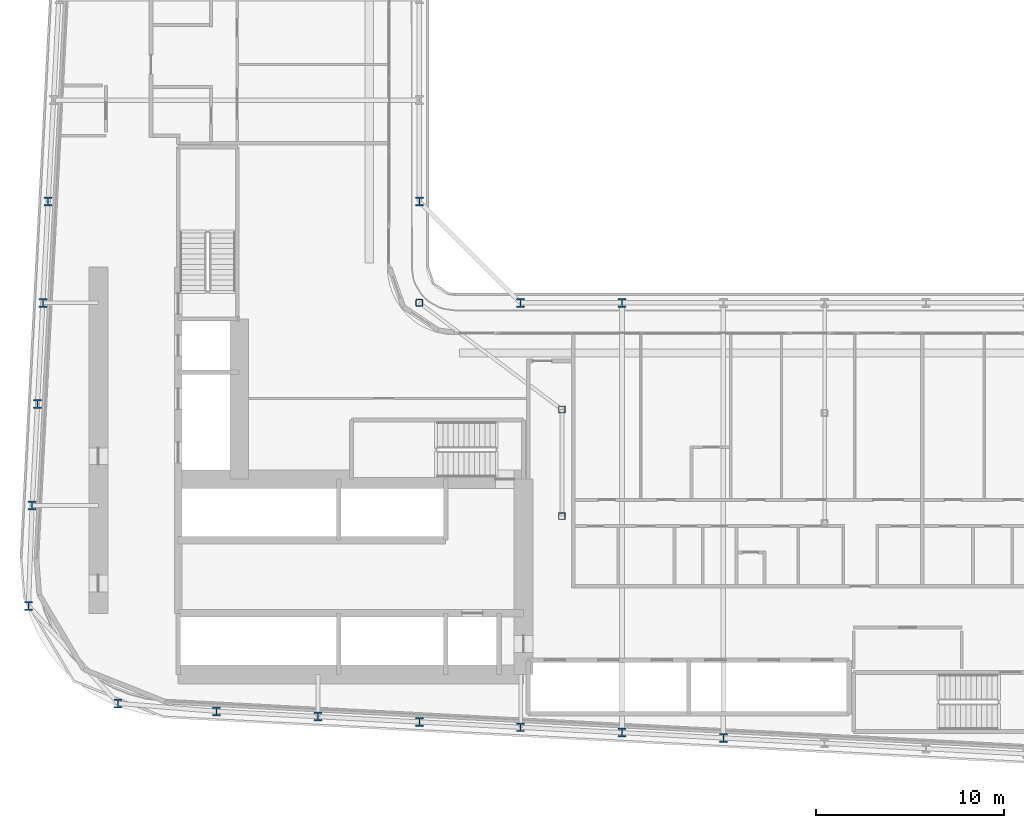
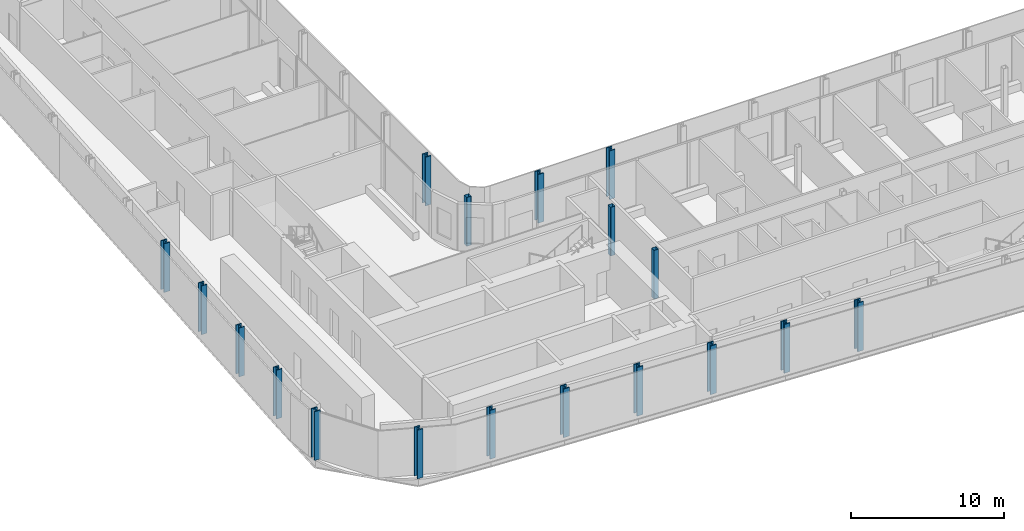
# One storey, part 1 of 29: 18 columns.
"""IFC4 building model written with IfcOpenShell, lengths in metres."""

import ifcopenshell
import ifcopenshell.guid

model = None  # the IFC model being written
_history = None  # IfcOwnerHistory: only IFC2X3 demands one
_inside = {}  # id of a spatial element -> (the spatial element, [elements in it])
_under = {}  # id of a project, library or spatial element -> (it, [spatial elements below it])
_declared = {}  # id of a project -> (the project, [libraries it declares])
_typed = {}  # id of a type object -> (the type object, [elements of that type])
_made_of = {}  # id of a material, layer set ... -> (it, [elements and type objects made of it])


def new_model(schema):
    """Start an empty IFC model of exactly this schema.

    Asked for "IFC4X3", IfcOpenShell would pick the latest addendum, in which some entities
    have other attributes; the version numbers below select the first issue.
    IFC2X3 requires an IfcOwnerHistory on every rooted entity: one is made here for all.
    """
    global model, _history
    if schema == "IFC4X3":
        model = ifcopenshell.file(schema_version=(4, 3, 0, 0))
    else:
        model = ifcopenshell.file(schema=schema)
    _inside.clear()
    _under.clear()
    _declared.clear()
    _typed.clear()
    _made_of.clear()
    _history = None
    if model.schema == "IFC2X3":
        org = make("IfcOrganization", Name="unknown")
        user = make(
            "IfcPersonAndOrganization",
            ThePerson=make("IfcPerson", FamilyName="unknown"),
            TheOrganization=org,
        )
        app = make(
            "IfcApplication",
            ApplicationDeveloper=org,
            Version="unknown",
            ApplicationFullName="unknown",
            ApplicationIdentifier="unknown",
        )
        _history = make(
            "IfcOwnerHistory",
            OwningUser=user,
            OwningApplication=app,
            ChangeAction="ADDED",
            CreationDate=0,
        )
    return model


def make(cls, **values):
    """One entity of the class cls with the attributes given. An attribute that is None is left unset."""
    return model.create_entity(
        cls, **{name: value for name, value in values.items() if value is not None}
    )


def rooted(cls, **values):
    """An entity with a GlobalId (a new one), such as an element, a storey or a relation."""
    return make(cls, GlobalId=ifcopenshell.guid.new(), OwnerHistory=_history, **values)


def si_unit(unit_type, name, prefix=None):
    """IfcSIUnit, for example si_unit("LENGTHUNIT", "METRE", prefix="MILLI")."""
    return make("IfcSIUnit", UnitType=unit_type, Prefix=prefix, Name=name)


def assignment(units):
    """IfcUnitAssignment: the units of a project."""
    return None if units is None else make("IfcUnitAssignment", Units=units)


def point(xyz):
    """IfcCartesianPoint."""
    return None if xyz is None else make("IfcCartesianPoint", Coordinates=xyz)


def direction(xyz):
    """IfcDirection."""
    return None if xyz is None else make("IfcDirection", DirectionRatios=xyz)


def frame(location, z_axis=None, x_axis=None):
    """IfcAxis2Placement3D, a coordinate frame: its origin and axes. An axis left out is left unset."""
    return make(
        "IfcAxis2Placement3D",
        Location=point(location),
        Axis=direction(z_axis),
        RefDirection=direction(x_axis),
    )


def frame_2d(location, x_axis=None):
    """IfcAxis2Placement2D, a coordinate frame in the plane: its origin and x axis."""
    return make(
        "IfcAxis2Placement2D", Location=point(location), RefDirection=direction(x_axis)
    )


def origin():
    """The frame at (0, 0, 0) with its axes left unset."""
    return frame((0.0, 0.0, 0.0))


def origin_2d():
    """The frame at (0, 0) in the plane with its x axis left unset."""
    return frame_2d((0.0, 0.0))


def place(relative_to, where):
    """IfcLocalPlacement: puts the frame where relative to a parent placement (None: the world)."""
    return make(
        "IfcLocalPlacement", PlacementRelTo=relative_to, RelativePlacement=where
    )


def context(
    kind, dimensions, precision=None, world=None, true_north=None, identifier=None
):
    """IfcGeometricRepresentationContext, for example the 3D "Model" context."""
    return make(
        "IfcGeometricRepresentationContext",
        ContextIdentifier=identifier,
        ContextType=kind,
        CoordinateSpaceDimension=dimensions,
        Precision=precision,
        WorldCoordinateSystem=world,
        TrueNorth=true_north,
    )


def subcontext(parent, identifier, kind, view, scale=None):
    """IfcGeometricRepresentationSubContext, for example "Body" below "Model"."""
    return make(
        "IfcGeometricRepresentationSubContext",
        ContextIdentifier=identifier,
        ContextType=kind,
        ParentContext=parent,
        TargetScale=scale,
        TargetView=view,
    )


def project(units=None, contexts=None):
    """IfcProject with its units and contexts."""
    return rooted(
        "IfcProject",
        Name="project",
        RepresentationContexts=contexts,
        UnitsInContext=assignment(units),
    )


def spatial(cls, under=None, at=None, **own):
    """A site, building, storey or space (cls), placed at a placement, below another one or the project."""
    s = rooted(cls, ObjectPlacement=at, **own)
    if under is not None:
        _under.setdefault(under.id(), (under, []))[1].append(s)
    return s


def profile(cls, at=None, kind="AREA", **sizes):
    """A parametric profile (cls). Its sizes go by their IFC names, for example OverallWidth=200.0."""
    return make(cls, ProfileType=kind, Position=at, **sizes)


def hollow_rectangle(**sizes):
    """IfcRectangleHollowProfileDef."""
    return profile("IfcRectangleHollowProfileDef", **sizes)


def i_section(**sizes):
    """IfcIShapeProfileDef."""
    return profile("IfcIShapeProfileDef", **sizes)


def extrude(swept, where, along, depth):
    """IfcExtrudedAreaSolid: the profile swept, set in the frame where, extruded along a direction by depth."""
    return make(
        "IfcExtrudedAreaSolid",
        SweptArea=swept,
        Position=where,
        ExtrudedDirection=direction(along),
        Depth=depth,
    )


def shape(context_of_items, identifier, shape_type, items):
    """IfcShapeRepresentation: the items that make up one representation, for example the "Body"."""
    return make(
        "IfcShapeRepresentation",
        ContextOfItems=context_of_items,
        RepresentationIdentifier=identifier,
        RepresentationType=shape_type,
        Items=items,
    )


def material(Name=None, Category=None):
    """IfcMaterial."""
    return make("IfcMaterial", Name=Name, Category=Category)


def material_profile(
    of_material, cross_section, Name=None, Category=None, Priority=None
):
    """IfcMaterialProfile: a cross section and its material."""
    return make(
        "IfcMaterialProfile",
        Name=Name,
        Material=of_material,
        Profile=cross_section,
        Priority=Priority,
        Category=Category,
    )


def profile_set(profiles, Name=None, composite=None):
    """IfcMaterialProfileSet."""
    return make(
        "IfcMaterialProfileSet",
        Name=Name,
        MaterialProfiles=profiles,
        CompositeProfile=composite,
    )


def made_of(thing, what):
    """Note that an element or type object is made of a material, layer set ...; save() writes the relation."""
    if what is not None:
        _made_of.setdefault(what.id(), (what, []))[1].append(thing)
    return thing


def type_object(cls, material=None, **own):
    """A type object (cls), such as IfcWallType, which elements share."""
    return made_of(rooted(cls, **own), material)


def element(
    cls,
    number,
    at=None,
    inside=None,
    cuts=None,
    type_object=None,
    material=None,
    context=None,
    identifier="Body",
    shape_type=None,
    held_by="IfcProductDefinitionShape",
    body=None,
    shapes=None,
    **own,
):
    """One element of the class cls, such as IfcWall. Its Tag is "e" and its number.

    at: its placement. inside: the storey or other place that contains it. cuts: it is an
    opening in that element (IfcRelVoidsElement). A single representation is given by context,
    identifier, shape_type and body (its items); several are given by shapes. held_by: the class
    of the entity that holds the representations. save() writes the other relations.
    """
    e = rooted(cls, Tag="e%d" % number, ObjectPlacement=at, **own)
    if body is not None:
        shapes = [shape(context, identifier, shape_type, body)]
    if shapes is not None:
        e.Representation = make(held_by, Representations=shapes)
    if inside is not None:
        _inside.setdefault(inside.id(), (inside, []))[1].append(e)
    if cuts is not None:
        rooted(
            "IfcRelVoidsElement", RelatingBuildingElement=cuts, RelatedOpeningElement=e
        )
    if type_object is not None:
        _typed.setdefault(type_object.id(), (type_object, []))[1].append(e)
    return made_of(e, material)


def aggregate(whole, parts):
    """IfcRelAggregates: a whole, such as a stair, and the parts it consists of."""
    return rooted("IfcRelAggregates", RelatingObject=whole, RelatedObjects=parts)


def save(model, path):
    """Write the relations noted so far, then the file.

    IfcRelAggregates (storeys below a building ...), IfcRelContainedInSpatialStructure (elements
    in a storey), IfcRelDefinesByType, IfcRelAssociatesMaterial and IfcRelDeclares: one each for
    every whole, place, type object, material and project.
    """
    for whole, parts in _under.values():
        aggregate(whole, parts)
    for where, things in _inside.values():
        rooted(
            "IfcRelContainedInSpatialStructure",
            RelatedElements=things,
            RelatingStructure=where,
        )
    for kind, things in _typed.values():
        rooted("IfcRelDefinesByType", RelatedObjects=things, RelatingType=kind)
    for what, things in _made_of.values():
        rooted("IfcRelAssociatesMaterial", RelatedObjects=things, RelatingMaterial=what)
    for by, libraries in _declared.values():
        rooted("IfcRelDeclares", RelatingContext=by, RelatedDefinitions=libraries)
    model.write(path)


model = new_model("IFC4")

# Units and contexts
model_context = context("Model", 3, precision=1e-05, world=origin(), true_north=direction((0.0, 1.0)))
body_context = subcontext(model_context, "Body", "Model", "MODEL_VIEW")
ifc_project = project(units=[si_unit("LENGTHUNIT", "METRE"), si_unit("AREAUNIT", "SQUARE_METRE"), si_unit("VOLUMEUNIT", "CUBIC_METRE"), si_unit("PLANEANGLEUNIT", "RADIAN"), si_unit("MASSUNIT", "GRAM", prefix="KILO")], contexts=[model_context])

# Site, building, storey
site_placement = place(None, origin())
site = spatial("IfcSite", under=ifc_project, at=site_placement, CompositionType="ELEMENT")
building_placement = place(site_placement, origin())
building = spatial("IfcBuilding", under=site, at=building_placement, Name="Kheshtan School and Residences Tower", CompositionType="ELEMENT")
storey_placement = place(building_placement, frame((0.0, 0.0, 69.5)))
storey = spatial("IfcBuildingStorey", under=building, at=storey_placement, Name="L16", CompositionType="ELEMENT", Elevation=69.5)

# Columns
ifc_material_1 = material(Name="Steel ASTM A992 Grade 50", Category="steel")
ifc_material_profile_1 = material_profile(ifc_material_1, i_section(OverallWidth=0.424072265625, OverallDepth=0.47412109375, WebThickness=0.047607421875, FlangeThickness=0.0771484375, FilletRadius=0.01416015625, at=origin_2d()), Name="W360x634")
ifc_profile_set_1 = profile_set([ifc_material_profile_1], Name="Steel ASTM A992 Grade 50")
column_type_1 = type_object("IfcColumnType", Name="Column C1 W360x634 ASTM A992 Grade 50", PredefinedType="COLUMN", material=ifc_profile_set_1)
for number, where, z_axis, x_axis, name in (
    (1, (63.800048828125, 22.410888671875, 0.0), (0.0, 0.0, 1.0), (1.0, 0.0, 0.0), "Column C016"),
    (2, (58.39990234375, 22.695068359375, 0.0), (0.0, 0.0, 1.0), (1.0, 0.0, 0.0), "Column C018"),
    (3, (53.0, 22.97998046875, 0.0), (0.0, 0.0, 1.0), (1.0, 0.0, 0.0), "Column C019"),
    (4, (47.60009765625, 23.263916015625, 0.0), (0.0, 0.0, 1.0), (1.0, 0.0, 0.0), "Column C020"),
    (5, (42.199951171875, 23.548095703125, 0.0), (0.0, 0.0, 1.0), (1.0, 0.0, 0.0), "Column C021"),
    (6, (36.800048828125, 23.83203125, 0.0), (0.0, 0.0, 1.0), (1.0, 0.0, 0.0), "Column C022"),
    (7, (31.5419921875, 24.257080078125, 0.0), (0.0, 0.0, 1.0), (1.0, 0.0, 0.0), "Column C025"),
    (8, (26.76904296875, 29.4541015625, 0.0), (0.0, 0.0, 1.0), (1.0, 0.0, 0.0), "Column C038"),
    (9, (26.968994140625, 34.800048828125, 0.0), (0.0, 0.0, 1.0), (1.0, 0.0, 0.0), "Column C052"),
    (10, (27.2529296875, 40.199951171875, 0.0), (0.0, 0.0, 1.0), (1.0, 0.0, 0.0), "Column C056"),
    (11, (27.537109375, 45.60009765625, 0.0), (0.0, 0.0, 1.0), (1.0, 0.0, 0.0), "Column C059"),
    (12, (53.0, 45.60009765625, 0.0), (0.0, 0.0, 1.0), (1.0, 0.0, 0.0), "Column C061"),
    (13, (58.39990234375, 45.60009765625, 0.0), (0.0, 0.0, 1.0), (1.0, 0.0, 0.0), "Column C062"),
    (14, (27.822021484375, 51.0, 0.0), (0.0, 0.0, 1.0), (1.0, 0.0, 0.0), "Column C078"),
    (15, (47.60009765625, 51.0, 0.0), (0.0, 0.0, 1.0), (1.0, 0.0, 0.0), "Column C079"),
):
    element("IfcColumn", number, at=place(storey_placement, frame(where, z_axis=z_axis, x_axis=x_axis)), inside=storey, type_object=column_type_1, Name=name, PredefinedType="COLUMN", context=body_context, shape_type="SweptSolid", body=[
        extrude(i_section(OverallWidth=0.424072265625, OverallDepth=0.47412109375, WebThickness=0.047607421875, FlangeThickness=0.0771484375, FilletRadius=0.01416015625, at=origin_2d()), origin(), (0.0, 0.0, 1.0), 3.89990234375),
    ])
ifc_material_2 = material(Name="Steel ASTM A500 Grade C", Category="steel")
ifc_material_profile_2 = material_profile(ifc_material_2, hollow_rectangle(XDim=0.35595703125, YDim=0.35595703125, WallThickness=0.015869140625, InnerFilletRadius=0.015869140625, OuterFilletRadius=0.03173828125, at=origin_2d()), Name="HSS 356x356x15.9")
ifc_profile_set_2 = profile_set([ifc_material_profile_2], Name="Steel ASTM A500 Grade C")
column_type_2 = type_object("IfcColumnType", Name="Column IC1 HSS 356x356x15.9 ASTM A500 Grade C", PredefinedType="COLUMN", material=ifc_profile_set_2)
for number, where, z_axis, x_axis, name in (
    (16, (55.199951171875, 34.23193359375, 0.0), (0.0, 0.0, 1.0), (1.0, 0.0, 0.0), "Column C051"),
    (17, (55.199951171875, 39.916015625, 0.0), (0.0, 0.0, 1.0), (1.0, 0.0, 0.0), "Column C055"),
    (18, (47.60009765625, 45.60009765625, 0.0), (0.0, 0.0, 1.0), (1.0, 0.0, 0.0), "Column C060"),
):
    element("IfcColumn", number, at=place(storey_placement, frame(where, z_axis=z_axis, x_axis=x_axis)), inside=storey, type_object=column_type_2, Name=name, PredefinedType="COLUMN", context=body_context, shape_type="SweptSolid", body=[
        extrude(hollow_rectangle(XDim=0.35595703125, YDim=0.35595703125, WallThickness=0.015869140625, InnerFilletRadius=0.015869140625, OuterFilletRadius=0.03173828125, at=origin_2d()), origin(), (0.0, 0.0, 1.0), 3.89990234375),
    ])

save(model, "model.ifc")
